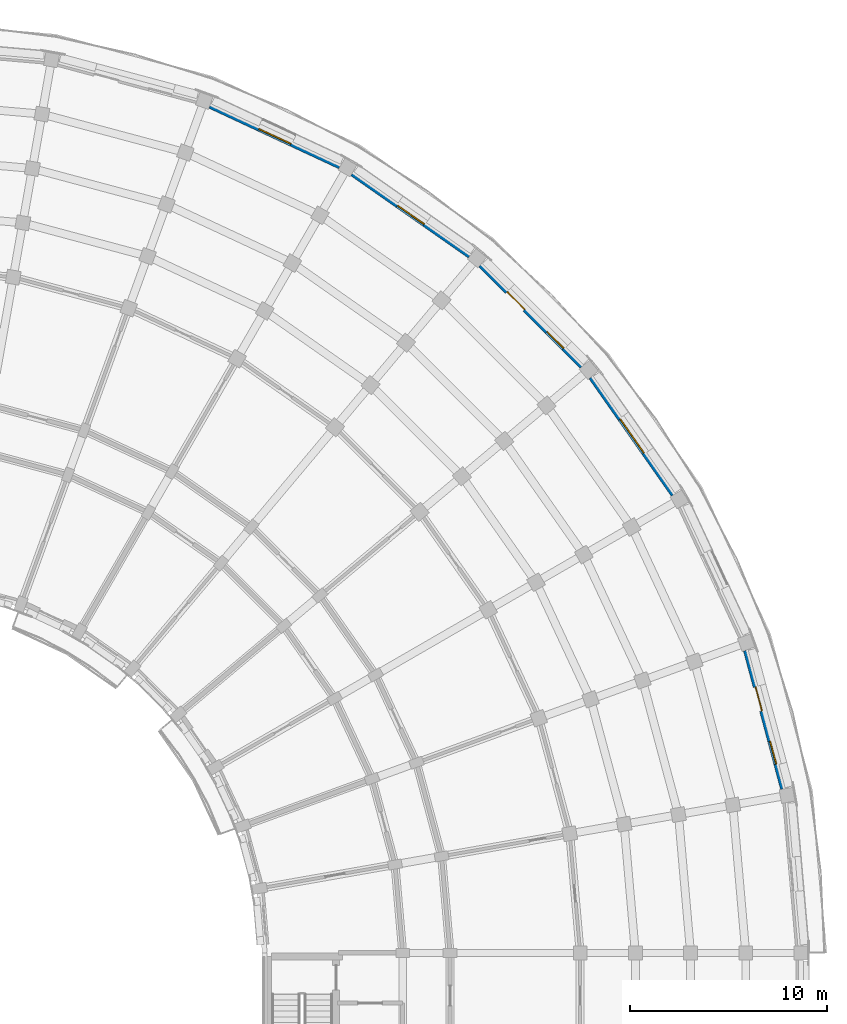
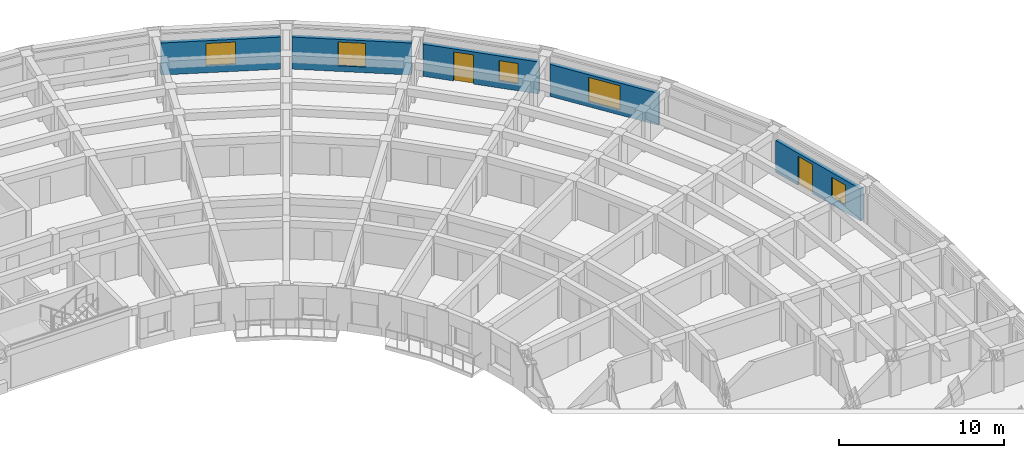
# One storey, part 36 of 57: 5 walls, 5 windows, 2 doors, 7 openings.
"""IFC4 building model written with IfcOpenShell, lengths in metres."""

from ifc_helpers import new_model, si_unit, direction, frame, frame_2d, origin, place, context, subcontext, project, spatial, rectangle, extrude, material, layer, layer_set, type_object, element, fill, save


model = new_model("IFC4")

# Units and contexts
model_context = context("Model", 3, precision=1e-05, world=origin(), true_north=direction((0.0, 1.0)))
body_context = subcontext(model_context, "Body", "Model", "MODEL_VIEW")
ifc_project = project(units=[si_unit("LENGTHUNIT", "METRE"), si_unit("AREAUNIT", "SQUARE_METRE"), si_unit("VOLUMEUNIT", "CUBIC_METRE"), si_unit("PLANEANGLEUNIT", "RADIAN"), si_unit("MASSUNIT", "GRAM", prefix="KILO")], contexts=[model_context])

# Site, building, storey
site_placement = place(None, origin())
site = spatial("IfcSite", under=ifc_project, at=site_placement, CompositionType="ELEMENT")
building_placement = place(site_placement, origin())
building = spatial("IfcBuilding", under=site, at=building_placement, Name="Kiranvali Square Residences", CompositionType="ELEMENT")
storey_placement = place(building_placement, frame((0.0, 0.0, 18.14990234375)))
storey = spatial("IfcBuildingStorey", under=building, at=storey_placement, Name="L05", CompositionType="ELEMENT", Elevation=18.14990234375)

# Wall, opening, window
ifc_material_1 = material(Name="Breathable lime-rendered clay brick masonry", Category="masonry")
ifc_layer = layer(ifc_material_1, 0.25)
ifc_layer_set = layer_set([ifc_layer], Name="Breathable lime-rendered clay brick masonry")
wall_type = type_object("IfcWallType", Name="WL-EXT-250", PredefinedType="STANDARD", material=ifc_layer_set)
wall_1_placement = place(storey_placement, frame((135.82080078125, 130.753662109375, 0.0), z_axis=(0.0, 0.0, 1.0), x_axis=(0.90630327107, -0.422627946127, 0.0)))
wall_1 = element("IfcWall", 1, at=wall_1_placement, inside=storey, type_object=wall_type, Name="L05 exterior wall B-L05-CRV-02", PredefinedType="STANDARD", context=body_context, shape_type="SweptSolid", body=[
    extrude(rectangle(XDim=7.2666015625, YDim=0.25, at=frame_2d((3.63330078125, 0.0))), origin(), (0.0, 0.0, 1.0), 2.3720703125),
])
opening_1_placement = place(wall_1_placement, frame((2.7333984375, 0.0, 0.52197265625)))
opening_1 = element("IfcOpeningElement", 2, at=opening_1_placement, cuts=wall_1, Name="Opening W-04", PredefinedType="OPENING", context=body_context, shape_type="SweptSolid", body=[
    extrude(rectangle(XDim=1.800048828125, YDim=1.64990234375, at=frame_2d((0.89990234375, 0.824951171875))), frame((0.0, 0.135009765625, 0.0), z_axis=(0.0, -1.0, 0.0), x_axis=(1.0, 0.0, 0.0)), (0.0, 0.0, 1.0), 0.27001953125),
])
ifc_material_2 = material(Name="Solar-control low-e double glazing", Category="glass")
window_type_1 = type_object("IfcWindowType", Name="WIN-RES-1800x1650", PartitioningType="DOUBLE_PANEL_VERTICAL", PredefinedType="WINDOW", material=ifc_material_2)
window_1_placement = place(opening_1_placement, origin())
window_1 = element("IfcWindow", 3, at=window_1_placement, inside=storey, type_object=window_type_1, Name="L05 recessed window B-L05-CRV-02", OverallHeight=1.64990234375, OverallWidth=1.800048828125, PartitioningType="DOUBLE_PANEL_VERTICAL", PredefinedType="WINDOW", context=body_context, shape_type="SweptSolid", body=[
    extrude(rectangle(XDim=1.800048828125, YDim=1.64990234375, at=frame_2d((0.89990234375, 0.824951171875))), frame((0.0, 0.030029296875, 0.0), z_axis=(0.0, -1.0, 0.0), x_axis=(1.0, 0.0, 0.0)), (0.0, 0.0, 1.0), 0.06005859375),
])
fill(opening_1, window_1)

wall_2_placement = place(storey_placement, frame((143.0361328125, 127.319091796875, 0.0), z_axis=(0.0, 0.0, 1.0), x_axis=(0.819159308599, -0.573566061701, 0.0)))
wall_2 = element("IfcWall", 4, at=wall_2_placement, inside=storey, type_object=wall_type, Name="L05 exterior wall B-L05-CRV-03", PredefinedType="STANDARD", context=body_context, shape_type="SweptSolid", body=[
    extrude(rectangle(XDim=7.266845703125, YDim=0.25, at=frame_2d((3.63330078125, 0.0))), origin(), (0.0, 0.0, 1.0), 2.3720703125),
])
opening_2_placement = place(wall_2_placement, frame((2.808349609375, 0.0, 0.422119140625)))
opening_2 = element("IfcOpeningElement", 5, at=opening_2_placement, cuts=wall_2, Name="Opening W-13", PredefinedType="OPENING", context=body_context, shape_type="SweptSolid", body=[
    extrude(rectangle(XDim=1.64990234375, YDim=1.75, at=frame_2d((0.824951171875, 0.875))), frame((0.0, 0.135009765625, 0.0), z_axis=(0.0, -1.0, 0.0), x_axis=(1.0, 0.0, 0.0)), (0.0, 0.0, 1.0), 0.27001953125),
])
window_type_2 = type_object("IfcWindowType", Name="WIN-RES-1650x1750", PartitioningType="DOUBLE_PANEL_VERTICAL", PredefinedType="WINDOW", material=ifc_material_2)
window_2_placement = place(opening_2_placement, origin())
window_2 = element("IfcWindow", 6, at=window_2_placement, inside=storey, type_object=window_type_2, Name="L05 recessed window B-L05-CRV-03", OverallHeight=1.75, OverallWidth=1.64990234375, PartitioningType="DOUBLE_PANEL_VERTICAL", PredefinedType="WINDOW", context=body_context, shape_type="SweptSolid", body=[
    extrude(rectangle(XDim=1.64990234375, YDim=1.75, at=frame_2d((0.824951171875, 0.875))), frame((0.0, 0.030029296875, 0.0), z_axis=(0.0, -1.0, 0.0), x_axis=(1.0, 0.0, 0.0)), (0.0, 0.0, 1.0), 0.06005859375),
])
fill(opening_2, window_2)

# Wall, openings, door, window
wall_3_placement = place(storey_placement, frame((149.545654296875, 122.683837890625, 0.0), z_axis=(0.0, 0.0, 1.0), x_axis=(0.707106781187, -0.707106781187, 0.0)))
wall_3 = element("IfcWall", 7, at=wall_3_placement, inside=storey, type_object=wall_type, Name="L05 exterior wall B-L05-CRV-04", PredefinedType="STANDARD", context=body_context, shape_type="SweptSolid", body=[
    extrude(rectangle(XDim=7.2666015625, YDim=0.25, at=frame_2d((3.63330078125, 0.0))), origin(), (0.0, 0.0, 1.0), 2.3720703125),
])
opening_3_placement = place(wall_3_placement, frame((4.765625, 0.0, 0.52197265625)))
opening_3 = element("IfcOpeningElement", 8, at=opening_3_placement, cuts=wall_3, Name="Opening W-06", PredefinedType="OPENING", context=body_context, shape_type="SweptSolid", body=[
    extrude(rectangle(XDim=1.199951171875, YDim=1.5, at=frame_2d((0.60009765625, 0.75))), frame((0.0, 0.135009765625, 0.0), z_axis=(0.0, -1.0, 0.0), x_axis=(1.0, 0.0, 0.0)), (0.0, 0.0, 1.0), 0.27001953125),
])
opening_4_placement = place(wall_3_placement, frame((1.913330078125, 0.0, 0.0)))
opening_4 = element("IfcOpeningElement", 9, at=opening_4_placement, cuts=wall_3, Name="Opening ED-BAL-2", PredefinedType="OPENING", context=body_context, shape_type="SweptSolid", body=[
    extrude(rectangle(XDim=1.260009765625, YDim=2.14990234375, at=frame_2d((0.6298828125, 1.074951171875))), frame((0.0, 0.135009765625, 0.0), z_axis=(0.0, -1.0, 0.0), x_axis=(1.0, 0.0, 0.0)), (0.0, 0.0, 1.0), 0.27001953125),
])
ifc_material_3 = material(Name="Anodised bronze aluminium framing", Category="aluminium")
door_type = type_object("IfcDoorType", Name="DR-BAL-1260", OperationType="NOTDEFINED", PredefinedType="DOOR", material=ifc_material_3)
door_1_placement = place(opening_4_placement, origin())
door_1 = element("IfcDoor", 10, at=door_1_placement, inside=storey, type_object=door_type, Name="L05 balcony terrace door", OperationType="SINGLE_SWING_LEFT", OverallHeight=2.14990234375, OverallWidth=1.260009765625, PredefinedType="DOOR", context=body_context, shape_type="SweptSolid", body=[
    extrude(rectangle(XDim=1.260009765625, YDim=2.14990234375, at=frame_2d((0.6298828125, 1.074951171875))), frame((0.0, 0.02490234375, 0.0), z_axis=(0.0, -1.0, 0.0), x_axis=(1.0, 0.0, 0.0)), (0.0, 0.0, 1.0), 0.050048828125),
])
fill(opening_4, door_1)
window_type_3 = type_object("IfcWindowType", Name="WIN-RES-1200x1500", PartitioningType="SINGLE_PANEL", PredefinedType="WINDOW", material=ifc_material_2)
window_3_placement = place(opening_3_placement, origin())
window_3 = element("IfcWindow", 11, at=window_3_placement, inside=storey, type_object=window_type_3, Name="L05 recessed window B-L05-CRV-04", OverallHeight=1.5, OverallWidth=1.199951171875, PartitioningType="SINGLE_PANEL", PredefinedType="WINDOW", context=body_context, shape_type="SweptSolid", body=[
    extrude(rectangle(XDim=1.199951171875, YDim=1.5, at=frame_2d((0.60009765625, 0.75))), frame((0.0, 0.030029296875, 0.0), z_axis=(0.0, -1.0, 0.0), x_axis=(1.0, 0.0, 0.0)), (0.0, 0.0, 1.0), 0.06005859375),
])
fill(opening_3, window_3)

# Wall, opening, window
wall_4_placement = place(storey_placement, frame((155.151123046875, 116.98876953125, 0.0), z_axis=(0.0, 0.0, 1.0), x_axis=(0.573566061701, -0.819159308599, 0.0)))
wall_4 = element("IfcWall", 12, at=wall_4_placement, inside=storey, type_object=wall_type, Name="L05 exterior wall B-L05-CRV-05", PredefinedType="STANDARD", context=body_context, shape_type="SweptSolid", body=[
    extrude(rectangle(XDim=7.266845703125, YDim=0.25, at=frame_2d((3.63330078125, 0.0))), origin(), (0.0, 0.0, 1.0), 2.3720703125),
])
opening_5_placement = place(wall_4_placement, frame((2.583251953125, 0.0, 0.3720703125)))
opening_5 = element("IfcOpeningElement", 13, at=opening_5_placement, cuts=wall_4, Name="Opening W-03", PredefinedType="OPENING", context=body_context, shape_type="SweptSolid", body=[
    extrude(rectangle(XDim=2.10009765625, YDim=1.800048828125, at=frame_2d((1.050048828125, 0.89990234375))), frame((0.0, 0.135009765625, 0.0), z_axis=(0.0, -1.0, 0.0), x_axis=(1.0, 0.0, 0.0)), (0.0, 0.0, 1.0), 0.27001953125),
])
window_type_4 = type_object("IfcWindowType", Name="WIN-RES-2100x1800", PartitioningType="TRIPLE_PANEL_VERTICAL", PredefinedType="WINDOW", material=ifc_material_2)
window_4_placement = place(opening_5_placement, origin())
window_4 = element("IfcWindow", 14, at=window_4_placement, inside=storey, type_object=window_type_4, Name="L05 recessed window B-L05-CRV-05", OverallHeight=1.800048828125, OverallWidth=2.10009765625, PartitioningType="TRIPLE_PANEL_VERTICAL", PredefinedType="WINDOW", context=body_context, shape_type="SweptSolid", body=[
    extrude(rectangle(XDim=2.10009765625, YDim=1.800048828125, at=frame_2d((1.050048828125, 0.89990234375))), frame((0.0, 0.030029296875, 0.0), z_axis=(0.0, -1.0, 0.0), x_axis=(1.0, 0.0, 0.0)), (0.0, 0.0, 1.0), 0.06005859375),
])
fill(opening_5, window_4)

# Wall, openings, door, window
wall_5_placement = place(storey_placement, frame((163.00244140625, 103.137451171875, 0.0), z_axis=(0.0, 0.0, 1.0), x_axis=(0.258802140196, -0.965930355787, 0.0)))
wall_5 = element("IfcWall", 15, at=wall_5_placement, inside=storey, type_object=wall_type, Name="L05 exterior wall B-L05-CRV-07", PredefinedType="STANDARD", context=body_context, shape_type="SweptSolid", body=[
    extrude(rectangle(XDim=7.2666015625, YDim=0.25, at=frame_2d((3.63330078125, 0.0))), origin(), (0.0, 0.0, 1.0), 2.3720703125),
])
opening_6_placement = place(wall_5_placement, frame((4.765625, 0.0, 0.52197265625)))
opening_6 = element("IfcOpeningElement", 16, at=opening_6_placement, cuts=wall_5, Name="Opening W-06", PredefinedType="OPENING", context=body_context, shape_type="SweptSolid", body=[
    extrude(rectangle(XDim=1.199951171875, YDim=1.5, at=frame_2d((0.60009765625, 0.75))), frame((0.0, 0.135009765625, 0.0), z_axis=(0.0, -1.0, 0.0), x_axis=(1.0, 0.0, 0.0)), (0.0, 0.0, 1.0), 0.27001953125),
])
opening_7_placement = place(wall_5_placement, frame((1.913330078125, 0.0, 0.0)))
opening_7 = element("IfcOpeningElement", 17, at=opening_7_placement, cuts=wall_5, Name="Opening ED-BAL-2", PredefinedType="OPENING", context=body_context, shape_type="SweptSolid", body=[
    extrude(rectangle(XDim=1.260009765625, YDim=2.14990234375, at=frame_2d((0.6298828125, 1.074951171875))), frame((0.0, 0.135009765625, 0.0), z_axis=(0.0, -1.0, 0.0), x_axis=(1.0, 0.0, 0.0)), (0.0, 0.0, 1.0), 0.27001953125),
])
door_2_placement = place(opening_7_placement, origin())
door_2 = element("IfcDoor", 18, at=door_2_placement, inside=storey, type_object=door_type, Name="L05 balcony terrace door", OperationType="SINGLE_SWING_RIGHT", OverallHeight=2.14990234375, OverallWidth=1.260009765625, PredefinedType="DOOR", context=body_context, shape_type="SweptSolid", body=[
    extrude(rectangle(XDim=1.260009765625, YDim=2.14990234375, at=frame_2d((0.6298828125, 1.074951171875))), frame((0.0, 0.02490234375, 0.0), z_axis=(0.0, -1.0, 0.0), x_axis=(1.0, 0.0, 0.0)), (0.0, 0.0, 1.0), 0.050048828125),
])
fill(opening_7, door_2)
window_5_placement = place(opening_6_placement, origin())
window_5 = element("IfcWindow", 19, at=window_5_placement, inside=storey, type_object=window_type_3, Name="L05 recessed window B-L05-CRV-07", OverallHeight=1.5, OverallWidth=1.199951171875, PartitioningType="SINGLE_PANEL", PredefinedType="WINDOW", context=body_context, shape_type="SweptSolid", body=[
    extrude(rectangle(XDim=1.199951171875, YDim=1.5, at=frame_2d((0.60009765625, 0.75))), frame((0.0, 0.030029296875, 0.0), z_axis=(0.0, -1.0, 0.0), x_axis=(1.0, 0.0, 0.0)), (0.0, 0.0, 1.0), 0.06005859375),
])
fill(opening_6, window_5)

save(model, "model.ifc")
